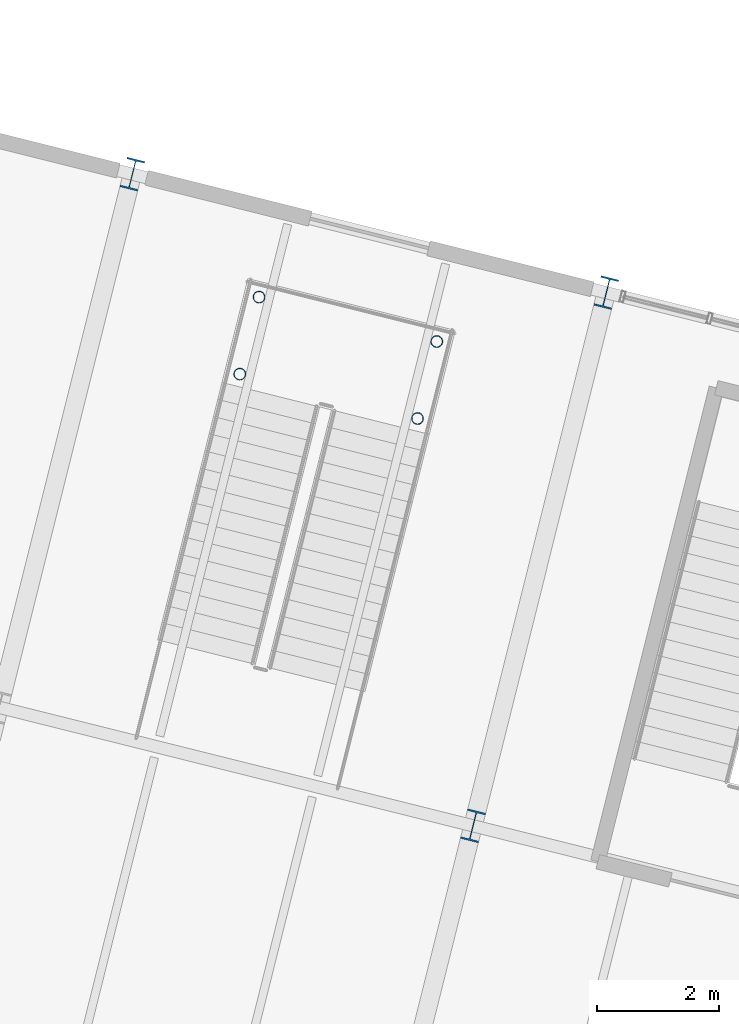
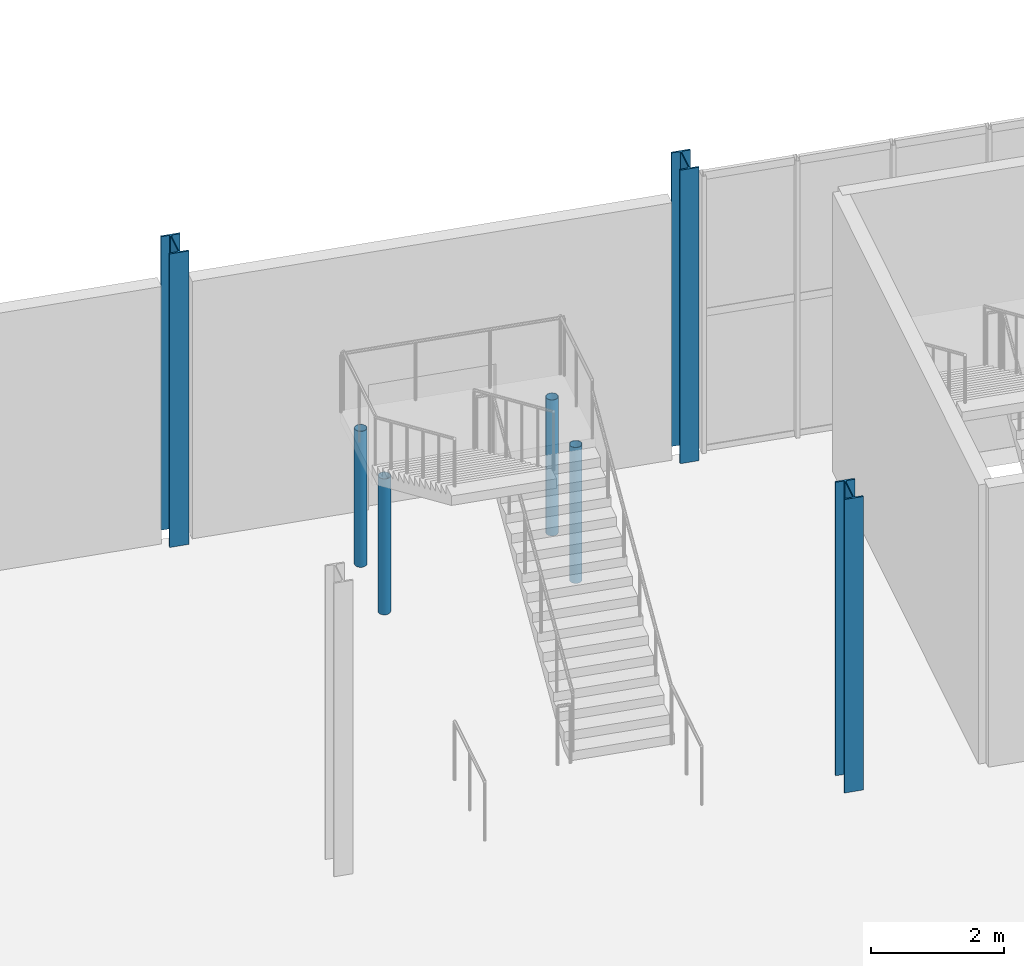
# One storey, part 19 of 158: 7 columns.
"""IFC4 building model written with IfcOpenShell, lengths in metres."""

import ifcopenshell
import ifcopenshell.guid

model = None  # the IFC model being written
_history = None  # IfcOwnerHistory: only IFC2X3 demands one
_inside = {}  # id of a spatial element -> (the spatial element, [elements in it])
_under = {}  # id of a project, library or spatial element -> (it, [spatial elements below it])
_declared = {}  # id of a project -> (the project, [libraries it declares])
_typed = {}  # id of a type object -> (the type object, [elements of that type])
_made_of = {}  # id of a material, layer set ... -> (it, [elements and type objects made of it])


def new_model(schema):
    """Start an empty IFC model of exactly this schema.

    Asked for "IFC4X3", IfcOpenShell would pick the latest addendum, in which some entities
    have other attributes; the version numbers below select the first issue.
    IFC2X3 requires an IfcOwnerHistory on every rooted entity: one is made here for all.
    """
    global model, _history
    if schema == "IFC4X3":
        model = ifcopenshell.file(schema_version=(4, 3, 0, 0))
    else:
        model = ifcopenshell.file(schema=schema)
    _inside.clear()
    _under.clear()
    _declared.clear()
    _typed.clear()
    _made_of.clear()
    _history = None
    if model.schema == "IFC2X3":
        org = make("IfcOrganization", Name="unknown")
        user = make(
            "IfcPersonAndOrganization",
            ThePerson=make("IfcPerson", FamilyName="unknown"),
            TheOrganization=org,
        )
        app = make(
            "IfcApplication",
            ApplicationDeveloper=org,
            Version="unknown",
            ApplicationFullName="unknown",
            ApplicationIdentifier="unknown",
        )
        _history = make(
            "IfcOwnerHistory",
            OwningUser=user,
            OwningApplication=app,
            ChangeAction="ADDED",
            CreationDate=0,
        )
    return model


def make(cls, **values):
    """One entity of the class cls with the attributes given. An attribute that is None is left unset."""
    return model.create_entity(
        cls, **{name: value for name, value in values.items() if value is not None}
    )


def rooted(cls, **values):
    """An entity with a GlobalId (a new one), such as an element, a storey or a relation."""
    return make(cls, GlobalId=ifcopenshell.guid.new(), OwnerHistory=_history, **values)


def si_unit(unit_type, name, prefix=None):
    """IfcSIUnit, for example si_unit("LENGTHUNIT", "METRE", prefix="MILLI")."""
    return make("IfcSIUnit", UnitType=unit_type, Prefix=prefix, Name=name)


def derived_unit(unit_type, elements):
    """IfcDerivedUnit: a product of units, each with its exponent."""
    return make(
        "IfcDerivedUnit",
        Elements=[
            make("IfcDerivedUnitElement", Unit=unit, Exponent=power)
            for unit, power in elements
        ],
        UnitType=unit_type,
    )


def assignment(units):
    """IfcUnitAssignment: the units of a project."""
    return None if units is None else make("IfcUnitAssignment", Units=units)


def point(xyz):
    """IfcCartesianPoint."""
    return None if xyz is None else make("IfcCartesianPoint", Coordinates=xyz)


def direction(xyz):
    """IfcDirection."""
    return None if xyz is None else make("IfcDirection", DirectionRatios=xyz)


def frame(location, z_axis=None, x_axis=None):
    """IfcAxis2Placement3D, a coordinate frame: its origin and axes. An axis left out is left unset."""
    return make(
        "IfcAxis2Placement3D",
        Location=point(location),
        Axis=direction(z_axis),
        RefDirection=direction(x_axis),
    )


def frame_2d(location, x_axis=None):
    """IfcAxis2Placement2D, a coordinate frame in the plane: its origin and x axis."""
    return make(
        "IfcAxis2Placement2D", Location=point(location), RefDirection=direction(x_axis)
    )


def origin():
    """The frame at (0, 0, 0) with its axes left unset."""
    return frame((0.0, 0.0, 0.0))


def origin_2d():
    """The frame at (0, 0) in the plane with its x axis left unset."""
    return frame_2d((0.0, 0.0))


def place(relative_to, where):
    """IfcLocalPlacement: puts the frame where relative to a parent placement (None: the world)."""
    return make(
        "IfcLocalPlacement", PlacementRelTo=relative_to, RelativePlacement=where
    )


def context(
    kind, dimensions, precision=None, world=None, true_north=None, identifier=None
):
    """IfcGeometricRepresentationContext, for example the 3D "Model" context."""
    return make(
        "IfcGeometricRepresentationContext",
        ContextIdentifier=identifier,
        ContextType=kind,
        CoordinateSpaceDimension=dimensions,
        Precision=precision,
        WorldCoordinateSystem=world,
        TrueNorth=true_north,
    )


def subcontext(parent, identifier, kind, view, scale=None):
    """IfcGeometricRepresentationSubContext, for example "Body" below "Model"."""
    return make(
        "IfcGeometricRepresentationSubContext",
        ContextIdentifier=identifier,
        ContextType=kind,
        ParentContext=parent,
        TargetScale=scale,
        TargetView=view,
    )


def project(units=None, contexts=None):
    """IfcProject with its units and contexts."""
    return rooted(
        "IfcProject",
        Name="project",
        RepresentationContexts=contexts,
        UnitsInContext=assignment(units),
    )


def spatial(cls, under=None, at=None, **own):
    """A site, building, storey or space (cls), placed at a placement, below another one or the project."""
    s = rooted(cls, ObjectPlacement=at, **own)
    if under is not None:
        _under.setdefault(under.id(), (under, []))[1].append(s)
    return s


def profile(cls, at=None, kind="AREA", **sizes):
    """A parametric profile (cls). Its sizes go by their IFC names, for example OverallWidth=200.0."""
    return make(cls, ProfileType=kind, Position=at, **sizes)


def hollow_circle(**sizes):
    """IfcCircleHollowProfileDef."""
    return profile("IfcCircleHollowProfileDef", **sizes)


def i_section(**sizes):
    """IfcIShapeProfileDef."""
    return profile("IfcIShapeProfileDef", **sizes)


def extrude(swept, where, along, depth):
    """IfcExtrudedAreaSolid: the profile swept, set in the frame where, extruded along a direction by depth."""
    return make(
        "IfcExtrudedAreaSolid",
        SweptArea=swept,
        Position=where,
        ExtrudedDirection=direction(along),
        Depth=depth,
    )


def shape(context_of_items, identifier, shape_type, items):
    """IfcShapeRepresentation: the items that make up one representation, for example the "Body"."""
    return make(
        "IfcShapeRepresentation",
        ContextOfItems=context_of_items,
        RepresentationIdentifier=identifier,
        RepresentationType=shape_type,
        Items=items,
    )


def material(Name=None, Category=None):
    """IfcMaterial."""
    return make("IfcMaterial", Name=Name, Category=Category)


def material_profile(
    of_material, cross_section, Name=None, Category=None, Priority=None
):
    """IfcMaterialProfile: a cross section and its material."""
    return make(
        "IfcMaterialProfile",
        Name=Name,
        Material=of_material,
        Profile=cross_section,
        Priority=Priority,
        Category=Category,
    )


def profile_set(profiles, Name=None, composite=None):
    """IfcMaterialProfileSet."""
    return make(
        "IfcMaterialProfileSet",
        Name=Name,
        MaterialProfiles=profiles,
        CompositeProfile=composite,
    )


def made_of(thing, what):
    """Note that an element or type object is made of a material, layer set ...; save() writes the relation."""
    if what is not None:
        _made_of.setdefault(what.id(), (what, []))[1].append(thing)
    return thing


def type_object(cls, material=None, **own):
    """A type object (cls), such as IfcWallType, which elements share."""
    return made_of(rooted(cls, **own), material)


def element(
    cls,
    number,
    at=None,
    inside=None,
    cuts=None,
    type_object=None,
    material=None,
    context=None,
    identifier="Body",
    shape_type=None,
    held_by="IfcProductDefinitionShape",
    body=None,
    shapes=None,
    **own,
):
    """One element of the class cls, such as IfcWall. Its Tag is "e" and its number.

    at: its placement. inside: the storey or other place that contains it. cuts: it is an
    opening in that element (IfcRelVoidsElement). A single representation is given by context,
    identifier, shape_type and body (its items); several are given by shapes. held_by: the class
    of the entity that holds the representations. save() writes the other relations.
    """
    e = rooted(cls, Tag="e%d" % number, ObjectPlacement=at, **own)
    if body is not None:
        shapes = [shape(context, identifier, shape_type, body)]
    if shapes is not None:
        e.Representation = make(held_by, Representations=shapes)
    if inside is not None:
        _inside.setdefault(inside.id(), (inside, []))[1].append(e)
    if cuts is not None:
        rooted(
            "IfcRelVoidsElement", RelatingBuildingElement=cuts, RelatedOpeningElement=e
        )
    if type_object is not None:
        _typed.setdefault(type_object.id(), (type_object, []))[1].append(e)
    return made_of(e, material)


def aggregate(whole, parts):
    """IfcRelAggregates: a whole, such as a stair, and the parts it consists of."""
    return rooted("IfcRelAggregates", RelatingObject=whole, RelatedObjects=parts)


def save(model, path):
    """Write the relations noted so far, then the file.

    IfcRelAggregates (storeys below a building ...), IfcRelContainedInSpatialStructure (elements
    in a storey), IfcRelDefinesByType, IfcRelAssociatesMaterial and IfcRelDeclares: one each for
    every whole, place, type object, material and project.
    """
    for whole, parts in _under.values():
        aggregate(whole, parts)
    for where, things in _inside.values():
        rooted(
            "IfcRelContainedInSpatialStructure",
            RelatedElements=things,
            RelatingStructure=where,
        )
    for kind, things in _typed.values():
        rooted("IfcRelDefinesByType", RelatedObjects=things, RelatingType=kind)
    for what, things in _made_of.values():
        rooted("IfcRelAssociatesMaterial", RelatedObjects=things, RelatingMaterial=what)
    for by, libraries in _declared.values():
        rooted("IfcRelDeclares", RelatingContext=by, RelatedDefinitions=libraries)
    model.write(path)


model = new_model("IFC4")

# Units and contexts
model_context = context("Model", 3, precision=1e-05, world=origin(), true_north=direction((0.0, 1.0)))
body_context = subcontext(model_context, "Body", "Model", "MODEL_VIEW")
ifc_project = project(units=[si_unit("LENGTHUNIT", "METRE"), si_unit("AREAUNIT", "SQUARE_METRE"), si_unit("VOLUMEUNIT", "CUBIC_METRE"), si_unit("PLANEANGLEUNIT", "RADIAN"), si_unit("MASSUNIT", "GRAM", prefix="KILO"), si_unit("THERMODYNAMICTEMPERATUREUNIT", "KELVIN"), si_unit("TIMEUNIT", "SECOND"), derived_unit("THERMALTRANSMITTANCEUNIT", [(si_unit("MASSUNIT", "GRAM", prefix="KILO"), 1), (si_unit("THERMODYNAMICTEMPERATUREUNIT", "KELVIN"), -1), (si_unit("TIMEUNIT", "SECOND"), -3)])], contexts=[model_context])

# Site, building, storey
site_placement = place(None, origin())
site = spatial("IfcSite", under=ifc_project, at=site_placement, CompositionType="ELEMENT")
building_placement = place(site_placement, origin())
building = spatial("IfcBuilding", under=site, at=building_placement, Name="Cambertide Market Hall", CompositionType="ELEMENT")
storey_placement = place(building_placement, origin())
storey = spatial("IfcBuildingStorey", under=building, at=storey_placement, Name="L01", CompositionType="ELEMENT", Elevation=0.0)

# Columns
ifc_material_1 = material(Name="Steel S355", Category="steel")
ifc_material_profile_1 = material_profile(ifc_material_1, i_section(OverallWidth=0.300048828125, OverallDepth=0.5, WebThickness=0.014404296875, FlangeThickness=0.028076171875, FilletRadius=0.027099609375, at=origin_2d()), Name="HEB 500")
ifc_profile_set_1 = profile_set([ifc_material_profile_1], Name="Steel S355")
column_type_1 = type_object("IfcColumnType", Name="Exterior Steel Column HEB 500", PredefinedType="COLUMN", material=ifc_profile_set_1)
for number, where, z_axis, x_axis, name in (
    (1, (130.07080078125, 122.313232421875, 0.0), (0.0, 0.0, 1.0), (0.970142500145, -0.242535625038, 0.0), "Level 1 Column COL-V4-3-4-L01"),
    (2, (137.831787109375, 120.373046875, 0.0), (0.0, 0.0, 1.0), (0.970142500145, -0.242535625038, 0.0), "Level 1 Column COL-V4-4-4-L01"),
):
    element("IfcColumn", number, at=place(storey_placement, frame(where, z_axis=z_axis, x_axis=x_axis)), inside=storey, type_object=column_type_1, Name=name, PredefinedType="COLUMN", context=body_context, shape_type="SweptSolid", body=[
        extrude(i_section(OverallWidth=0.300048828125, OverallDepth=0.5, WebThickness=0.014404296875, FlangeThickness=0.028076171875, FilletRadius=0.027099609375, at=origin_2d()), origin(), (0.0, 0.0, 1.0), 5.39990234375),
    ])
ifc_material_2 = material(Name="Steel S355", Category="steel")
ifc_material_profile_2 = material_profile(ifc_material_2, hollow_circle(Radius=0.096923828125, WallThickness=0.00634765625, at=origin_2d()), Name="CHS 193.7x6.3")
ifc_profile_set_2 = profile_set([ifc_material_profile_2], Name="Steel S355")
column_type_2 = type_object("IfcColumnType", Name="Steel Column CHS 193.7x6.3", PredefinedType="COLUMN", material=ifc_profile_set_2)
for number, where, z_axis, x_axis, name in (
    (3, (134.739501953125, 118.3115234375, 0.0), (0.0, 0.0, 1.0), (1.0, 0.0, 0.0), "Level 1 Column MPST-ST13-1"),
    (4, (131.8291015625, 119.0390625, 0.0), (0.0, 0.0, 1.0), (1.0, 0.0, 0.0), "Level 1 Column MPST-ST13-2"),
    (5, (135.054931640625, 119.572509765625, 0.0), (0.0, 0.0, 1.0), (1.0, 0.0, 0.0), "Level 1 Column MPST-ST13-3"),
    (6, (132.14453125, 120.30029296875, 0.0), (0.0, 0.0, 1.0), (1.0, 0.0, 0.0), "Level 1 Column MPST-ST13-4"),
):
    element("IfcColumn", number, at=place(storey_placement, frame(where, z_axis=z_axis, x_axis=x_axis)), inside=storey, type_object=column_type_2, Name=name, PredefinedType="COLUMN", context=body_context, shape_type="SweptSolid", body=[
        extrude(hollow_circle(Radius=0.096923828125, WallThickness=0.00634765625, at=origin_2d()), origin(), (0.0, 0.0, 1.0), 2.5),
    ])
ifc_material_3 = material(Name="Steel S355", Category="steel")
ifc_material_profile_3 = material_profile(ifc_material_3, i_section(OverallWidth=0.300048828125, OverallDepth=0.5, WebThickness=0.014404296875, FlangeThickness=0.028076171875, FilletRadius=0.027099609375, at=origin_2d()), Name="HEB 500")
ifc_profile_set_3 = profile_set([ifc_material_profile_3], Name="Steel S355")
column_type_3 = type_object("IfcColumnType", Name="Steel Column HEB 500", PredefinedType="COLUMN", material=ifc_profile_set_3)
column_placement = place(storey_placement, frame((135.649169921875, 111.6416015625, 0.0), z_axis=(0.0, 0.0, 1.0), x_axis=(0.970142500145, -0.242535625038, 0.0)))
element("IfcColumn", 7, at=column_placement, inside=storey, type_object=column_type_3, Name="Level 1 Column COL-V4-4-3-L01", PredefinedType="COLUMN", context=body_context, shape_type="SweptSolid", body=[
    extrude(i_section(OverallWidth=0.300048828125, OverallDepth=0.5, WebThickness=0.014404296875, FlangeThickness=0.028076171875, FilletRadius=0.027099609375, at=origin_2d()), origin(), (0.0, 0.0, 1.0), 5.39990234375),
])

save(model, "model.ifc")
